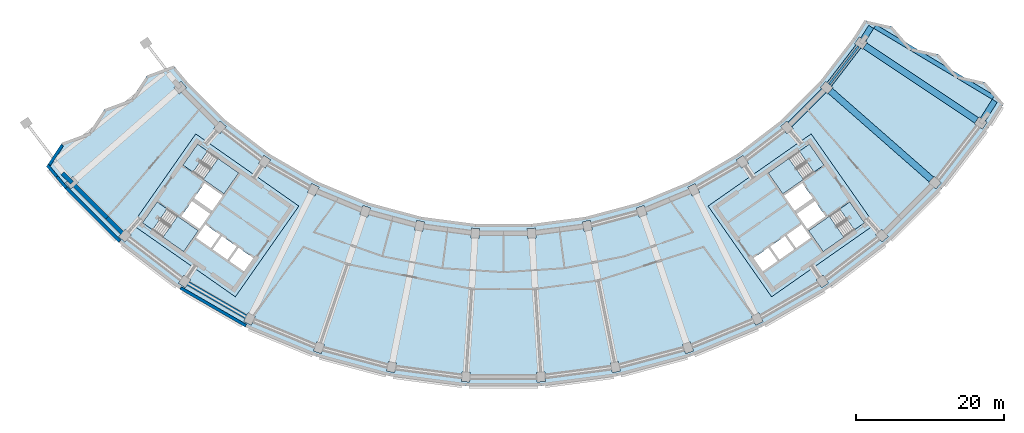
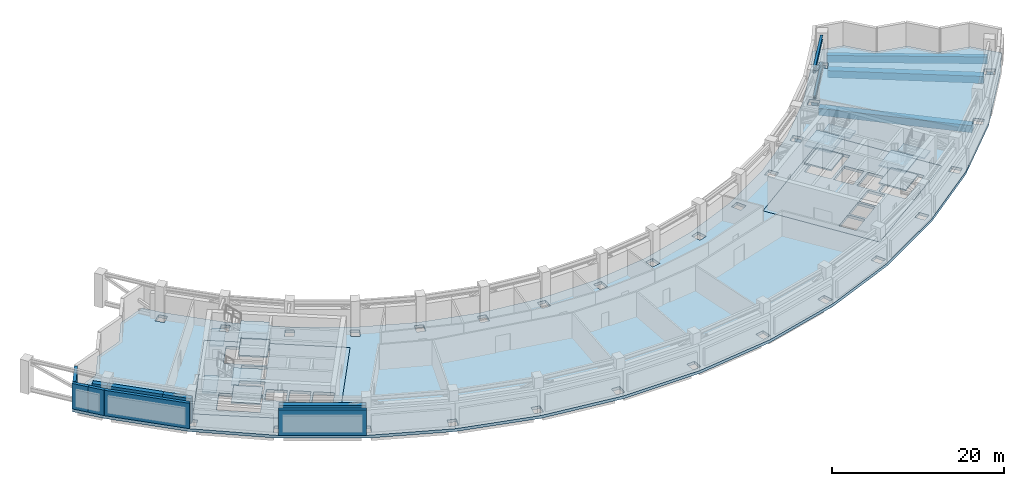
# One storey, part 4 of 24: 15 slabs, 9 walls, 7 beams, 3 members, 4 elements without a shape of their own.
"""IFC4 building model written with IfcOpenShell, lengths in metres."""

from ifc_helpers import new_model, si_unit, direction, frame, frame_2d, origin, origin_2d, place, context, subcontext, project, spatial, polyline, rectangle, hollow_rectangle, i_section, outline, extrude, material, layer, layer_set, material_profile, profile_set, type_object, element, aggregate, save


model = new_model("IFC4")

# Units and contexts
model_context = context("Model", 3, precision=1e-05, world=origin(), true_north=direction((0.0, 1.0)))
body_context = subcontext(model_context, "Body", "Model", "MODEL_VIEW")
ifc_project = project(units=[si_unit("LENGTHUNIT", "METRE"), si_unit("AREAUNIT", "SQUARE_METRE"), si_unit("VOLUMEUNIT", "CUBIC_METRE"), si_unit("PLANEANGLEUNIT", "RADIAN"), si_unit("MASSUNIT", "GRAM", prefix="KILO")], contexts=[model_context])

# Site, building, storey
site_placement = place(None, origin())
site = spatial("IfcSite", under=ifc_project, at=site_placement, CompositionType="ELEMENT")
building_placement = place(site_placement, origin())
building = spatial("IfcBuilding", under=site, at=building_placement, Name="Qamariyya Broadcast Tower", CompositionType="ELEMENT")
storey_placement = place(building_placement, frame((0.0, 0.0, 198.699951171875)))
storey = spatial("IfcBuildingStorey", under=building, at=storey_placement, Name="L47", CompositionType="ELEMENT", Elevation=198.699951171875)

# Members
ifc_material_1 = material(Name="Steel S355", Category="steel")
ifc_material_profile_1 = material_profile(ifc_material_1, i_section(OverallWidth=0.300048828125, OverallDepth=0.60009765625, WebThickness=0.015380859375, FlangeThickness=0.030029296875, FilletRadius=0.027099609375, at=origin_2d()))
ifc_profile_set_1 = profile_set([ifc_material_profile_1], Name="Steel S355")
member_type_1 = type_object("IfcMemberType", Name="Belt truss bottom chord HEB 600", PredefinedType="CHORD", material=ifc_profile_set_1)
member_1_placement = place(storey_placement, frame((44.130126953125, -37.9697265625, 0.300048828125), z_axis=(0.608774374473, 0.793343406719, 0.0), x_axis=(-0.793343406719, 0.608774374473, 0.0)))
element("IfcMember", 1, at=member_1_placement, inside=storey, type_object=member_type_1, Name="Belt truss bottom chord T22 L47 B-R17", PredefinedType="CHORD", context=body_context, shape_type="SweptSolid", body=[
    extrude(i_section(OverallWidth=0.300048828125, OverallDepth=0.60009765625, WebThickness=0.015380859375, FlangeThickness=0.030029296875, FilletRadius=0.027099609375, at=origin_2d()), origin(), (0.0, 0.0, 1.0), 6.517333984375),
])
ifc_material_profile_2 = material_profile(ifc_material_1, hollow_rectangle(XDim=0.300048828125, YDim=0.300048828125, WallThickness=0.012451171875, InnerFilletRadius=0.012451171875, OuterFilletRadius=0.02490234375, at=origin_2d()))
ifc_profile_set_2 = profile_set([ifc_material_profile_2], Name="Steel S355")
member_type_2 = type_object("IfcMemberType", Name="Belt truss diagonal RHS 300x300x12.5", PredefinedType="BRACE", material=ifc_profile_set_2)
member_2_placement = place(storey_placement, frame((44.172607421875, -37.914306640625, 3.96630859375), z_axis=(0.543018465757, 0.707634703159, -0.452088567353), x_axis=(-0.793336413901, 0.608783487274, 0.0)))
element("IfcMember", 2, at=member_2_placement, inside=storey, type_object=member_type_2, Name="Belt truss diagonal T23 L47 B-R17", PredefinedType="BRACE", context=body_context, shape_type="SweptSolid", body=[
    extrude(hollow_rectangle(XDim=0.300048828125, YDim=0.300048828125, WallThickness=0.012451171875, InnerFilletRadius=0.012451171875, OuterFilletRadius=0.02490234375, at=origin_2d()), origin(), (0.0, 0.0, 1.0), 7.14990234375),
])
ifc_material_profile_3 = material_profile(ifc_material_1, i_section(OverallWidth=0.300048828125, OverallDepth=0.60009765625, WebThickness=0.015380859375, FlangeThickness=0.030029296875, FilletRadius=0.027099609375, at=origin_2d()))
ifc_profile_set_3 = profile_set([ifc_material_profile_3], Name="Steel S355")
member_type_3 = type_object("IfcMemberType", Name="Belt truss top chord HEB 600", PredefinedType="CHORD", material=ifc_profile_set_3)
member_3_placement = place(storey_placement, frame((44.130126953125, -37.9697265625, 4.400146484375), z_axis=(0.608774374473, 0.793343406719, 0.0), x_axis=(-0.793343406719, 0.608774374473, 0.0)))
element("IfcMember", 3, at=member_3_placement, inside=storey, type_object=member_type_3, Name="Belt truss top chord T21 L47 B-R17", PredefinedType="CHORD", context=body_context, shape_type="SweptSolid", body=[
    extrude(i_section(OverallWidth=0.300048828125, OverallDepth=0.60009765625, WebThickness=0.015380859375, FlangeThickness=0.030029296875, FilletRadius=0.027099609375, at=origin_2d()), origin(), (0.0, 0.0, 1.0), 6.517333984375),
])

# Beams
ifc_material_2 = material(Name="Concrete C40/50", Category="concrete")
ifc_material_profile_4 = material_profile(ifc_material_2, rectangle(XDim=0.800048828125, YDim=1.0, at=origin_2d()))
ifc_profile_set_4 = profile_set([ifc_material_profile_4], Name="Concrete C40/50")
beam_type_1 = type_object("IfcBeamType", Name="RC edge beam 800 x 1000 C40/50", PredefinedType="SPANDREL", material=ifc_profile_set_4)
for number, where, z_axis, x_axis, name in (
    (4, (38.796630859375, -43.405029296875, -0.89990234375), (0.707106781187, 0.707106781187, 0.0), (-0.707106781187, 0.707106781187, 0.0), "Edge beam B24 L47 B R16-R17"),
    (5, (44.130126953125, -37.9697265625, -0.89990234375), (0.608774374473, 0.793343406719, 0.0), (-0.793343406719, 0.608774374473, 0.0), "Edge beam B24 L47 B R17-R18"),
):
    element("IfcBeam", number, at=place(storey_placement, frame(where, z_axis=z_axis, x_axis=x_axis)), inside=storey, type_object=beam_type_1, Name=name, PredefinedType="SPANDREL", context=body_context, shape_type="SweptSolid", body=[
        extrude(rectangle(XDim=0.800048828125, YDim=1.0, at=origin_2d()), origin(), (0.0, 0.0, 1.0), 6.517333984375),
    ])
ifc_material_profile_5 = material_profile(ifc_material_2, rectangle(XDim=0.800048828125, YDim=1.0, at=origin_2d()))
ifc_profile_set_5 = profile_set([ifc_material_profile_5], Name="Concrete C40/50")
beam_type_2 = type_object("IfcBeamType", Name="RC horn beam 800 x 1000 C40/50", PredefinedType="BEAM", material=ifc_profile_set_5)
beam_1_placement = place(storey_placement, frame((48.727294921875, -31.89697265625, -0.89990234375), z_axis=(0.534767304649, 0.844999366792, 0.0), x_axis=(-0.844999366792, 0.534767304649, 0.0)))
element("IfcBeam", 6, at=beam_1_placement, inside=storey, type_object=beam_type_2, Name="Horn beam B25 L47 E B-R18", PredefinedType="BEAM", context=body_context, shape_type="SweptSolid", body=[
    extrude(rectangle(XDim=0.800048828125, YDim=1.0, at=origin_2d()), origin(), (0.0, 0.0, 1.0), 2.039794921875),
])
beam_2_placement = place(storey_placement, frame((64.94091796875, -42.730712890625, -0.89990234375), z_axis=(0.534799060695, 0.844979268787, 0.0), x_axis=(-0.844979268787, 0.534799060695, 0.0)))
element("IfcBeam", 7, at=beam_2_placement, inside=storey, type_object=beam_type_2, Name="Horn beam B25 L47 E C-R18", PredefinedType="BEAM", context=body_context, shape_type="SweptSolid", body=[
    extrude(rectangle(XDim=0.800048828125, YDim=1.0, at=origin_2d()), origin(), (0.0, 0.0, 1.0), 3.007568359375),
])
ifc_material_profile_6 = material_profile(ifc_material_2, rectangle(XDim=0.60009765625, YDim=1.0, at=origin_2d()))
ifc_profile_set_6 = profile_set([ifc_material_profile_6], Name="Concrete C40/50")
beam_type_3 = type_object("IfcBeamType", Name="RC horn cap beam 600 x 1000 C40/50", PredefinedType="BEAM", material=ifc_profile_set_6)
beam_3_placement = place(storey_placement, frame((50.32177734375, -30.125244140625, -0.89990234375), z_axis=(0.858001674613, -0.513646888788, 0.0), x_axis=(0.513646888788, 0.858001674613, 0.0)))
element("IfcBeam", 8, at=beam_3_placement, inside=storey, type_object=beam_type_3, Name="Horn cap beam B26 L47 E B-C", PredefinedType="BEAM", context=body_context, shape_type="SweptSolid", body=[
    extrude(rectangle(XDim=0.60009765625, YDim=1.0, at=origin_2d()), origin(), (0.0, 0.0, 1.0), 18.699951171875),
])
ifc_material_profile_7 = material_profile(ifc_material_2, rectangle(XDim=0.89990234375, YDim=1.0, at=origin_2d()))
ifc_profile_set_7 = profile_set([ifc_material_profile_7], Name="Concrete C40/50")
beam_type_4 = type_object("IfcBeamType", Name="RC radial beam 900 x 1000 C40/50", PredefinedType="BEAM", material=ifc_profile_set_7)
beam_4_placement = place(storey_placement, frame((44.283447265625, -38.83544921875, -0.89990234375), z_axis=(0.751839141307, -0.659346574723, 0.0), x_axis=(0.659346574723, 0.751839141307, 0.0)))
element("IfcBeam", 9, at=beam_4_placement, inside=storey, type_object=beam_type_4, Name="Radial beam B23 L47 R17 B-C", PredefinedType="BEAM", context=body_context, shape_type="SweptSolid", body=[
    extrude(rectangle(XDim=0.89990234375, YDim=1.0, at=origin_2d()), origin(), (0.0, 0.0, 1.0), 18.199951171875),
])
beam_5_placement = place(storey_placement, frame((48.9736328125, -32.72314453125, -0.89990234375), z_axis=(0.831467855631, -0.555572862056, 0.0), x_axis=(0.555572862056, 0.831467855631, 0.0)))
element("IfcBeam", 10, at=beam_5_placement, inside=storey, type_object=beam_type_4, Name="Radial beam B23 L47 R18 B-C", PredefinedType="BEAM", context=body_context, shape_type="SweptSolid", body=[
    extrude(rectangle(XDim=0.89990234375, YDim=1.0, at=origin_2d()), origin(), (0.0, 0.0, 1.0), 18.19970703125),
])

# Slabs
ifc_layer_1 = layer(ifc_material_2, 0.39990234375)
ifc_layer_set_1 = layer_set([ifc_layer_1], Name="Core floor slab 400 mm Concrete C40/50")
slab_type_1 = type_object("IfcSlabType", Name="Core floor slab 400 mm Concrete C40/50", PredefinedType="FLOOR", material=ifc_layer_set_1)
slab_1_placement = place(storey_placement, frame((0.0, 0.0, -0.39990234375)))
element("IfcSlab", 11, at=slab_1_placement, inside=storey, type_object=slab_type_1, Name="k-W-L47-slab", PredefinedType="FLOOR", context=body_context, shape_type="SweptSolid", body=[
    extrude(outline(polyline([(-50.286376953125, -56.95751953125), (-36.32373046875, -66.734375), (-27.719970703125, -54.447021484375), (-41.6826171875, -44.67041015625), (-50.286376953125, -56.95751953125)]), holes=[polyline([(-33.87353515625, -61.49169921875), (-35.88037109375, -60.08642578125), (-37.142333984375, -61.888427734375), (-35.13525390625, -63.293701171875), (-33.87353515625, -61.49169921875)]), polyline([(-36.126220703125, -59.914306640625), (-38.133056640625, -58.509033203125), (-39.394775390625, -60.311279296875), (-37.387939453125, -61.716552734375), (-36.126220703125, -59.914306640625)]), polyline([(-38.378662109375, -58.3369140625), (-40.3857421875, -56.931640625), (-41.6474609375, -58.73388671875), (-39.640625, -60.13916015625), (-38.378662109375, -58.3369140625)]), polyline([(-39.742431640625, -55.489990234375), (-42.199951171875, -53.769287109375), (-43.6337890625, -55.817138671875), (-41.17626953125, -57.537841796875), (-39.742431640625, -55.489990234375)]), polyline([(-39.45556640625, -55.080322265625), (-41.9130859375, -53.359619140625), (-40.47900390625, -51.311767578125), (-38.021728515625, -53.032470703125), (-39.45556640625, -55.080322265625)]), polyline([(-42.06103515625, -49.837890625), (-37.849609375, -52.78662109375), (-35.870849609375, -49.960693359375), (-40.082275390625, -47.01171875), (-42.06103515625, -49.837890625)]), polyline([(-47.538818359375, -57.66064453125), (-43.3271484375, -60.609619140625), (-41.348388671875, -57.783447265625), (-45.559814453125, -54.834716796875), (-47.538818359375, -57.66064453125)])]), origin(), (0.0, 0.0, 1.0), 0.39990234375),
])
slab_2_placement = place(storey_placement, frame((0.0, 0.0, -0.39990234375)))
element("IfcSlab", 12, at=slab_2_placement, inside=storey, type_object=slab_type_1, Name="k-E-L47-slab", PredefinedType="FLOOR", context=body_context, shape_type="SweptSolid", body=[
    extrude(outline(polyline([(36.32373046875, -66.734375), (50.286376953125, -56.95751953125), (41.6826171875, -44.67041015625), (27.719970703125, -54.447021484375), (36.32373046875, -66.734375)]), holes=[polyline([(33.87353515625, -61.49169921875), (35.88037109375, -60.08642578125), (37.142333984375, -61.888427734375), (35.13525390625, -63.293701171875), (33.87353515625, -61.49169921875)]), polyline([(36.126220703125, -59.914306640625), (38.133056640625, -58.509033203125), (39.394775390625, -60.311279296875), (37.387939453125, -61.716552734375), (36.126220703125, -59.914306640625)]), polyline([(38.378662109375, -58.3369140625), (40.3857421875, -56.931640625), (41.6474609375, -58.73388671875), (39.640625, -60.13916015625), (38.378662109375, -58.3369140625)]), polyline([(39.742431640625, -55.489990234375), (42.199951171875, -53.769287109375), (43.6337890625, -55.817138671875), (41.17626953125, -57.537841796875), (39.742431640625, -55.489990234375)]), polyline([(39.45556640625, -55.080322265625), (41.9130859375, -53.359619140625), (40.47900390625, -51.311767578125), (38.021728515625, -53.032470703125), (39.45556640625, -55.080322265625)]), polyline([(40.082275390625, -47.01171875), (35.870849609375, -49.960693359375), (37.849609375, -52.78662109375), (42.06103515625, -49.837890625), (40.082275390625, -47.01171875)]), polyline([(45.559814453125, -54.834716796875), (41.348388671875, -57.783447265625), (43.3271484375, -60.609619140625), (47.538818359375, -57.66064453125), (45.559814453125, -54.834716796875)])]), origin(), (0.0, 0.0, 1.0), 0.39990234375),
])
ifc_layer_2 = layer(ifc_material_2, 0.39990234375)
ifc_layer_set_2 = layer_set([ifc_layer_2], Name="Post-tensioned floor slab 400 C40/50")
slab_type_2 = type_object("IfcSlabType", Name="Post-tensioned floor slab 400 C40/50", PredefinedType="FLOOR", material=ifc_layer_set_2)
slab_3_placement = place(storey_placement, frame((0.0, 0.0, -0.39990234375)))
element("IfcSlab", 13, at=slab_3_placement, inside=storey, type_object=slab_type_2, Name="Floor slab S3 L47", PredefinedType="FLOOR", context=body_context, shape_type="SweptSolid", body=[
    extrude(outline(polyline([(-59.7705078125, -45.85400390625), (-61.90576171875, -49.078125), (-59.395263671875, -52.08837890625), (-52.08837890625, -59.395263671875), (-43.89013671875, -65.68603515625), (-34.94091796875, -70.85302734375), (-25.393798828125, -74.807373046875), (-15.412109375, -77.48193359375), (-5.166748046875, -78.830810546875), (5.166748046875, -78.830810546875), (15.412109375, -77.48193359375), (25.393798828125, -74.807373046875), (34.94091796875, -70.85302734375), (43.89013671875, -65.68603515625), (52.08837890625, -59.395263671875), (59.395263671875, -52.08837890625), (65.68603515625, -43.89013671875), (67.7822265625, -40.577880859375), (65.244384765625, -37.66015625), (61.490234375, -36.811279296875), (58.951416015625, -33.892822265625), (55.1982421875, -33.04443359375), (52.658203125, -30.12548828125), (48.90625, -29.27783203125), (47.393798828125, -31.66748046875), (42.85498046875, -37.582763671875), (37.582763671875, -42.85498046875), (31.66748046875, -47.393798828125), (25.21044921875, -51.121826171875), (18.322021484375, -53.97509765625), (11.1201171875, -55.90478515625), (3.72802734375, -56.8779296875), (-3.72802734375, -56.8779296875), (-11.1201171875, -55.90478515625), (-18.322021484375, -53.97509765625), (-25.21044921875, -51.121826171875), (-31.66748046875, -47.393798828125), (-37.582763671875, -42.85498046875), (-42.85498046875, -37.582763671875), (-44.666259765625, -35.410888671875), (-48.275634765625, -36.740966796875), (-50.412841796875, -39.966552734375), (-54.023193359375, -41.297607421875), (-56.1591796875, -44.5224609375), (-59.7705078125, -45.85400390625)]), holes=[polyline([(-5.676513671875, -78.1962890625), (-5.59130859375, -76.89892578125), (-4.49365234375, -76.970947265625), (-4.578857421875, -78.26806640625), (-5.676513671875, -78.1962890625)]), polyline([(-15.83447265625, -76.786376953125), (-15.580810546875, -75.51123046875), (-14.501953125, -75.725830078125), (-14.755615234375, -77.0009765625), (-15.83447265625, -76.786376953125)]), polyline([(-25.7216796875, -74.0625), (-25.3037109375, -72.83154296875), (-24.26220703125, -73.18505859375), (-24.679931640625, -74.416015625), (-25.7216796875, -74.0625)]), polyline([(-35.168701171875, -70.071533203125), (-34.59375, -68.905517578125), (-33.607177734375, -69.39208984375), (-34.18212890625, -70.55810546875), (-35.168701171875, -70.071533203125)]), polyline([(-44.013916015625, -64.881591796875), (-43.291748046875, -63.80078125), (-42.377197265625, -64.411865234375), (-43.099365234375, -65.49267578125), (-44.013916015625, -64.881591796875)]), polyline([(-52.106201171875, -58.58154296875), (-51.2490234375, -57.604248046875), (-50.422119140625, -58.32958984375), (-51.279296875, -59.306884765625), (-52.106201171875, -58.58154296875)]), polyline([(-4.401123046875, -58.738037109375), (-4.316162109375, -57.440673828125), (-3.218505859375, -57.5126953125), (-3.303466796875, -58.809814453125), (-4.401123046875, -58.738037109375)]), polyline([(-12.0302734375, -57.660888671875), (-11.776611328125, -56.385986328125), (-10.69775390625, -56.6005859375), (-10.951416015625, -57.87548828125), (-12.0302734375, -57.660888671875)]), polyline([(-50.286376953125, -56.95751953125), (-41.6826171875, -44.67041015625), (-27.719970703125, -54.447021484375), (-36.32373046875, -66.734375), (-50.286376953125, -56.95751953125)]), polyline([(-19.45361328125, -55.597412109375), (-19.03564453125, -54.366455078125), (-17.994140625, -54.719970703125), (-18.411865234375, -55.950927734375), (-19.45361328125, -55.597412109375)]), polyline([(-26.544189453125, -52.58251953125), (-25.968994140625, -51.41650390625), (-24.982666015625, -51.903076171875), (-25.5576171875, -53.069091796875), (-26.544189453125, -52.58251953125)]), polyline([(-59.306884765625, -51.279296875), (-58.32958984375, -50.422119140625), (-57.604248046875, -51.2490234375), (-58.58154296875, -52.106201171875), (-59.306884765625, -51.279296875)]), polyline([(-33.180419921875, -48.66796875), (-32.458251953125, -47.587158203125), (-31.54345703125, -48.1982421875), (-32.265869140625, -49.279052734375), (-33.180419921875, -48.66796875)]), polyline([(-39.2490234375, -43.920654296875), (-38.391845703125, -42.943359375), (-37.564697265625, -43.668701171875), (-38.421875, -44.64599609375), (-39.2490234375, -43.920654296875)]), polyline([(-43.668701171875, -37.564697265625), (-42.943359375, -38.391845703125), (-43.920654296875, -39.2490234375), (-44.64599609375, -38.421875), (-43.668701171875, -37.564697265625)]), polyline([(4.578857421875, -78.26806640625), (4.49365234375, -76.970947265625), (5.59130859375, -76.89892578125), (5.676513671875, -78.1962890625), (4.578857421875, -78.26806640625)]), polyline([(14.755615234375, -77.0009765625), (14.501953125, -75.725830078125), (15.580810546875, -75.51123046875), (15.83447265625, -76.786376953125), (14.755615234375, -77.0009765625)]), polyline([(24.679931640625, -74.416015625), (24.26220703125, -73.18505859375), (25.3037109375, -72.83154296875), (25.7216796875, -74.0625), (24.679931640625, -74.416015625)]), polyline([(34.18212890625, -70.55810546875), (33.607177734375, -69.39208984375), (34.59375, -68.905517578125), (35.168701171875, -70.071533203125), (34.18212890625, -70.55810546875)]), polyline([(43.099365234375, -65.49267578125), (42.377197265625, -64.411865234375), (43.291748046875, -63.80078125), (44.013916015625, -64.881591796875), (43.099365234375, -65.49267578125)]), polyline([(51.279296875, -59.306884765625), (50.422119140625, -58.32958984375), (51.2490234375, -57.604248046875), (52.106201171875, -58.58154296875), (51.279296875, -59.306884765625)]), polyline([(3.303466796875, -58.809814453125), (3.218505859375, -57.5126953125), (4.316162109375, -57.440673828125), (4.401123046875, -58.738037109375), (3.303466796875, -58.809814453125)]), polyline([(10.951416015625, -57.87548828125), (10.69775390625, -56.6005859375), (11.776611328125, -56.385986328125), (12.0302734375, -57.660888671875), (10.951416015625, -57.87548828125)]), polyline([(36.32373046875, -66.734375), (27.719970703125, -54.447021484375), (41.6826171875, -44.67041015625), (50.286376953125, -56.95751953125), (36.32373046875, -66.734375)]), polyline([(18.411865234375, -55.950927734375), (17.994140625, -54.719970703125), (19.03564453125, -54.366455078125), (19.45361328125, -55.597412109375), (18.411865234375, -55.950927734375)]), polyline([(25.5576171875, -53.069091796875), (24.982666015625, -51.903076171875), (25.968994140625, -51.41650390625), (26.544189453125, -52.58251953125), (25.5576171875, -53.069091796875)]), polyline([(58.58154296875, -52.106201171875), (57.604248046875, -51.2490234375), (58.32958984375, -50.422119140625), (59.306884765625, -51.279296875), (58.58154296875, -52.106201171875)]), polyline([(32.265869140625, -49.279052734375), (31.54345703125, -48.1982421875), (32.458251953125, -47.587158203125), (33.180419921875, -48.66796875), (32.265869140625, -49.279052734375)]), polyline([(38.421875, -44.64599609375), (37.564697265625, -43.668701171875), (38.391845703125, -42.943359375), (39.2490234375, -43.920654296875), (38.421875, -44.64599609375)]), polyline([(64.881591796875, -44.013916015625), (63.80078125, -43.291748046875), (64.411865234375, -42.377197265625), (65.49267578125, -43.099365234375), (64.881591796875, -44.013916015625)]), polyline([(42.943359375, -38.391845703125), (43.668701171875, -37.564697265625), (44.64599609375, -38.421875), (43.920654296875, -39.2490234375), (42.943359375, -38.391845703125)]), polyline([(47.587158203125, -32.458251953125), (48.1982421875, -31.54345703125), (49.279052734375, -32.265869140625), (48.66796875, -33.180419921875), (47.587158203125, -32.458251953125)])]), origin(), (0.0, 0.0, 1.0), 0.39990234375),
])

# Stair, slabs
ifc_material_3 = material(Name="Concrete C50/60", Category="concrete")
stair_type = type_object("IfcStairType", Name="Exit stair 28 risers of 179 mm", PredefinedType="HALF_TURN_STAIR", material=ifc_material_3)
stair_1_placement = place(storey_placement, origin())
stair_1 = element("IfcStair", 14, at=stair_1_placement, inside=storey, type_object=stair_type, Name="L47 Stair W2", PredefinedType="HALF_TURN_STAIR")
ifc_layer_3 = layer(ifc_material_3, 0.199951171875)
ifc_layer_set_3 = layer_set([ifc_layer_3], Name="Stair landing")
slab_type_3 = type_object("IfcSlabType", Name="Stair landing", PredefinedType="LANDING", material=ifc_layer_set_3)
slab_4_placement = place(storey_placement, frame((0.0, 0.0, 1.050048828125)))
slab_4 = element("IfcSlab", 15, at=slab_4_placement, type_object=slab_type_3, Name="ST-W2 landing 1", PredefinedType="LANDING", context=body_context, shape_type="SweptSolid", body=[
    extrude(outline(polyline([(-40.642333984375, -50.831298828125), (-37.849609375, -52.78662109375), (-35.870849609375, -49.960693359375), (-38.66357421875, -48.005126953125), (-40.642333984375, -50.831298828125)])), origin(), (0.0, 0.0, 1.0), 0.199951171875),
])
slab_5_placement = place(storey_placement, frame((0.0, 0.0, 2.300048828125)))
slab_5 = element("IfcSlab", 16, at=slab_5_placement, type_object=slab_type_3, Name="ST-W2 landing 2", PredefinedType="LANDING", context=body_context, shape_type="SweptSolid", body=[
    extrude(outline(polyline([(-43.416015625, -48.88916015625), (-42.06103515625, -49.837890625), (-40.082275390625, -47.01171875), (-41.437255859375, -46.06298828125), (-43.416015625, -48.88916015625)])), origin(), (0.0, 0.0, 1.0), 0.199951171875),
])
slab_6_placement = place(storey_placement, frame((0.0, 0.0, 3.550048828125)))
slab_6 = element("IfcSlab", 17, at=slab_6_placement, type_object=slab_type_3, Name="ST-W2 landing 3", PredefinedType="LANDING", context=body_context, shape_type="SweptSolid", body=[
    extrude(outline(polyline([(-40.642333984375, -50.831298828125), (-37.849609375, -52.78662109375), (-35.870849609375, -49.960693359375), (-38.66357421875, -48.005126953125), (-40.642333984375, -50.831298828125)])), origin(), (0.0, 0.0, 1.0), 0.199951171875),
])
aggregate(stair_1, [slab_4, slab_5, slab_6])

stair_2_placement = place(storey_placement, origin())
stair_2 = element("IfcStair", 18, at=stair_2_placement, inside=storey, type_object=stair_type, Name="L47 Stair W1", PredefinedType="HALF_TURN_STAIR")
slab_7_placement = place(storey_placement, frame((0.0, 0.0, 1.050048828125)))
slab_7 = element("IfcSlab", 19, at=slab_7_placement, type_object=slab_type_3, Name="ST-W1 landing 1", PredefinedType="LANDING", context=body_context, shape_type="SweptSolid", body=[
    extrude(outline(polyline([(-46.1201171875, -58.654052734375), (-43.3271484375, -60.609619140625), (-41.348388671875, -57.783447265625), (-44.14111328125, -55.828125), (-46.1201171875, -58.654052734375)])), origin(), (0.0, 0.0, 1.0), 0.199951171875),
])
slab_8_placement = place(storey_placement, frame((0.0, 0.0, 2.300048828125)))
slab_8 = element("IfcSlab", 20, at=slab_8_placement, type_object=slab_type_3, Name="ST-W1 landing 2", PredefinedType="LANDING", context=body_context, shape_type="SweptSolid", body=[
    extrude(outline(polyline([(-48.8935546875, -56.7119140625), (-47.538818359375, -57.66064453125), (-45.559814453125, -54.834716796875), (-46.914794921875, -53.885986328125), (-48.8935546875, -56.7119140625)])), origin(), (0.0, 0.0, 1.0), 0.199951171875),
])
slab_9_placement = place(storey_placement, frame((0.0, 0.0, 3.550048828125)))
slab_9 = element("IfcSlab", 21, at=slab_9_placement, type_object=slab_type_3, Name="ST-W1 landing 3", PredefinedType="LANDING", context=body_context, shape_type="SweptSolid", body=[
    extrude(outline(polyline([(-46.1201171875, -58.654052734375), (-43.3271484375, -60.609619140625), (-41.348388671875, -57.783447265625), (-44.14111328125, -55.828125), (-46.1201171875, -58.654052734375)])), origin(), (0.0, 0.0, 1.0), 0.199951171875),
])
aggregate(stair_2, [slab_7, slab_8, slab_9])

stair_3_placement = place(storey_placement, origin())
stair_3 = element("IfcStair", 22, at=stair_3_placement, inside=storey, type_object=stair_type, Name="L47 Stair E2", PredefinedType="HALF_TURN_STAIR")
slab_10_placement = place(storey_placement, frame((0.0, 0.0, 1.050048828125)))
slab_10 = element("IfcSlab", 23, at=slab_10_placement, type_object=slab_type_3, Name="ST-E2 landing 1", PredefinedType="LANDING", context=body_context, shape_type="SweptSolid", body=[
    extrude(outline(polyline([(38.66357421875, -48.005126953125), (35.870849609375, -49.960693359375), (37.849609375, -52.78662109375), (40.642333984375, -50.831298828125), (38.66357421875, -48.005126953125)])), origin(), (0.0, 0.0, 1.0), 0.199951171875),
])
slab_11_placement = place(storey_placement, frame((0.0, 0.0, 2.300048828125)))
slab_11 = element("IfcSlab", 24, at=slab_11_placement, type_object=slab_type_3, Name="ST-E2 landing 2", PredefinedType="LANDING", context=body_context, shape_type="SweptSolid", body=[
    extrude(outline(polyline([(41.437255859375, -46.06298828125), (40.082275390625, -47.01171875), (42.06103515625, -49.837890625), (43.416015625, -48.88916015625), (41.437255859375, -46.06298828125)])), origin(), (0.0, 0.0, 1.0), 0.199951171875),
])
slab_12_placement = place(storey_placement, frame((0.0, 0.0, 3.550048828125)))
slab_12 = element("IfcSlab", 25, at=slab_12_placement, type_object=slab_type_3, Name="ST-E2 landing 3", PredefinedType="LANDING", context=body_context, shape_type="SweptSolid", body=[
    extrude(outline(polyline([(38.66357421875, -48.005126953125), (35.870849609375, -49.960693359375), (37.849609375, -52.78662109375), (40.642333984375, -50.831298828125), (38.66357421875, -48.005126953125)])), origin(), (0.0, 0.0, 1.0), 0.199951171875),
])
aggregate(stair_3, [slab_10, slab_11, slab_12])

stair_4_placement = place(storey_placement, origin())
stair_4 = element("IfcStair", 26, at=stair_4_placement, inside=storey, type_object=stair_type, Name="L47 Stair E1", PredefinedType="HALF_TURN_STAIR")
slab_13_placement = place(storey_placement, frame((0.0, 0.0, 1.050048828125)))
slab_13 = element("IfcSlab", 27, at=slab_13_placement, type_object=slab_type_3, Name="ST-E1 landing 1", PredefinedType="LANDING", context=body_context, shape_type="SweptSolid", body=[
    extrude(outline(polyline([(44.14111328125, -55.828125), (41.348388671875, -57.783447265625), (43.3271484375, -60.609619140625), (46.1201171875, -58.654052734375), (44.14111328125, -55.828125)])), origin(), (0.0, 0.0, 1.0), 0.199951171875),
])
slab_14_placement = place(storey_placement, frame((0.0, 0.0, 2.300048828125)))
slab_14 = element("IfcSlab", 28, at=slab_14_placement, type_object=slab_type_3, Name="ST-E1 landing 2", PredefinedType="LANDING", context=body_context, shape_type="SweptSolid", body=[
    extrude(outline(polyline([(46.914794921875, -53.885986328125), (45.559814453125, -54.834716796875), (47.538818359375, -57.66064453125), (48.8935546875, -56.7119140625), (46.914794921875, -53.885986328125)])), origin(), (0.0, 0.0, 1.0), 0.199951171875),
])
slab_15_placement = place(storey_placement, frame((0.0, 0.0, 3.550048828125)))
slab_15 = element("IfcSlab", 29, at=slab_15_placement, type_object=slab_type_3, Name="ST-E1 landing 3", PredefinedType="LANDING", context=body_context, shape_type="SweptSolid", body=[
    extrude(outline(polyline([(44.14111328125, -55.828125), (41.348388671875, -57.783447265625), (43.3271484375, -60.609619140625), (46.1201171875, -58.654052734375), (44.14111328125, -55.828125)])), origin(), (0.0, 0.0, 1.0), 0.199951171875),
])
aggregate(stair_4, [slab_13, slab_14, slab_15])

# Walls
ifc_material_4 = material(Name="Terracotta", Category="masonry")
ifc_layer_4 = layer(ifc_material_4, 0.39990234375)
ifc_layer_set_4 = layer_set([ifc_layer_4], Name="Terracotta clad plant wall 400")
wall_type_1 = type_object("IfcWallType", Name="Terracotta clad plant wall 400", PredefinedType="SOLIDWALL", material=ifc_layer_set_4)
wall_1_placement = place(storey_placement, frame((-59.758544921875, -46.197998046875, 0.0), z_axis=(0.0, 0.0, 1.0), x_axis=(-0.552103091092, -0.833775855255, 0.0)))
element("IfcWall", 30, at=wall_1_placement, inside=storey, type_object=wall_type_1, Name="e-wl-L47-capW5", PredefinedType="SOLIDWALL", context=body_context, shape_type="SweptSolid", body=[
    extrude(rectangle(XDim=3.192138671875, YDim=0.39990234375, at=frame_2d((1.59619140625, 0.0))), origin(), (0.0, 0.0, 1.0), 3.60009765625),
])
wall_2_placement = place(storey_placement, frame((-61.778564453125, -48.91845703125, 0.0), z_axis=(0.0, 0.0, 1.0), x_axis=(0.640472397118, -0.767981190219, 0.0)))
element("IfcWall", 31, at=wall_2_placement, inside=storey, type_object=wall_type_1, Name="e-wl-L47-out00", PredefinedType="SOLIDWALL", context=body_context, shape_type="SweptSolid", body=[
    extrude(rectangle(XDim=2.0009765625, YDim=0.39990234375, at=frame_2d((1.00048828125, 0.0))), origin(), (0.0, 0.0, 1.0), 3.60009765625),
])
wall_3_placement = place(storey_placement, frame((-60.4970703125, -50.455078125, 0.0), z_axis=(0.0, 0.0, 1.0), x_axis=(0.640501112374, -0.767957241679, 0.0)))
element("IfcWall", 32, at=wall_3_placement, inside=storey, type_object=wall_type_1, Name="e-wl-L47-out01", PredefinedType="SOLIDWALL", context=body_context, shape_type="SweptSolid", body=[
    extrude(rectangle(XDim=1.970947265625, YDim=0.39990234375, at=frame_2d((0.9853515625, 0.0))), origin(), (0.0, 0.0, 1.0), 3.60009765625),
])
wall_4_placement = place(storey_placement, frame((-59.220703125, -51.97998046875, 0.0), z_axis=(0.0, 0.0, 1.0), x_axis=(0.707106781187, -0.707106781187, 0.0)))
element("IfcWall", 33, at=wall_4_placement, inside=storey, type_object=wall_type_1, Name="e-wl-L47-out10", PredefinedType="SOLIDWALL", context=body_context, shape_type="SweptSolid", body=[
    extrude(rectangle(XDim=10.222900390625, YDim=0.39990234375, at=frame_2d((5.111328125, 0.0))), origin(), (0.0, 0.0, 1.0), 3.60009765625),
])
wall_5_placement = place(storey_placement, frame((-43.73486328125, -65.544921875, 0.0), z_axis=(0.0, 0.0, 1.0), x_axis=(0.866039792397, -0.499975077364, 0.0)))
element("IfcWall", 34, at=wall_5_placement, inside=storey, type_object=wall_type_1, Name="e-wl-L47-out30", PredefinedType="SOLIDWALL", context=body_context, shape_type="SweptSolid", body=[
    extrude(rectangle(XDim=10.2060546875, YDim=0.39990234375, at=frame_2d((5.10302734375, 0.0))), origin(), (0.0, 0.0, 1.0), 3.60009765625),
])
ifc_material_5 = material(Name="Masonry block wall", Category="masonry")
ifc_layer_5 = layer(ifc_material_5, 0.60009765625)
ifc_layer_set_5 = layer_set([ifc_layer_5], Name="Truss casing wall 600 EI 120")
wall_type_2 = type_object("IfcWallType", Name="Truss casing wall 600 EI 120", PredefinedType="PARTITIONING", material=ifc_layer_set_5)
wall_6_placement = place(storey_placement, frame((-59.723388671875, -49.99609375, 0.0), z_axis=(0.0, 0.0, 1.0), x_axis=(0.70703858359, -0.707174972206, 0.0)))
element("IfcWall", 35, at=wall_6_placement, inside=storey, type_object=wall_type_2, Name="Partition L47-001", PredefinedType="PARTITIONING", context=body_context, shape_type="SweptSolid", body=[
    extrude(rectangle(XDim=1.7900390625, YDim=0.60009765625, at=frame_2d((0.89501953125, 0.0))), origin(), (0.0, 0.0, 1.0), 3.60009765625),
])
wall_7_placement = place(storey_placement, frame((-58.453369140625, -51.266357421875, 0.0), z_axis=(0.0, 0.0, 1.0), x_axis=(0.707106781187, -0.707106781187, 0.0)))
element("IfcWall", 36, at=wall_7_placement, inside=storey, type_object=wall_type_2, Name="Partition L47-002", PredefinedType="PARTITIONING", context=body_context, shape_type="SweptSolid", body=[
    extrude(rectangle(XDim=6.70654296875, YDim=0.60009765625, at=frame_2d((3.353271484375, 0.0))), origin(), (0.0, 0.0, 1.0), 3.60009765625),
])
wall_8_placement = place(storey_placement, frame((-53.711181640625, -56.008544921875, 0.0), z_axis=(0.0, 0.0, 1.0), x_axis=(0.707106781187, -0.707106781187, 0.0)))
element("IfcWall", 37, at=wall_8_placement, inside=storey, type_object=wall_type_2, Name="Partition L47-003", PredefinedType="PARTITIONING", context=body_context, shape_type="SweptSolid", body=[
    extrude(rectangle(XDim=3.437744140625, YDim=0.60009765625, at=frame_2d((1.71875, 0.0))), origin(), (0.0, 0.0, 1.0), 3.60009765625),
])
wall_9_placement = place(storey_placement, frame((-43.176025390625, -64.658203125, 0.0), z_axis=(0.0, 0.0, 1.0), x_axis=(0.866037016931, -0.4999798849, 0.0)))
element("IfcWall", 38, at=wall_9_placement, inside=storey, type_object=wall_type_2, Name="Partition L47-007", PredefinedType="PARTITIONING", context=body_context, shape_type="SweptSolid", body=[
    extrude(rectangle(XDim=10.125, YDim=0.60009765625, at=frame_2d((5.0625, 0.0))), origin(), (0.0, 0.0, 1.0), 3.60009765625),
])

save(model, "model.ifc")
